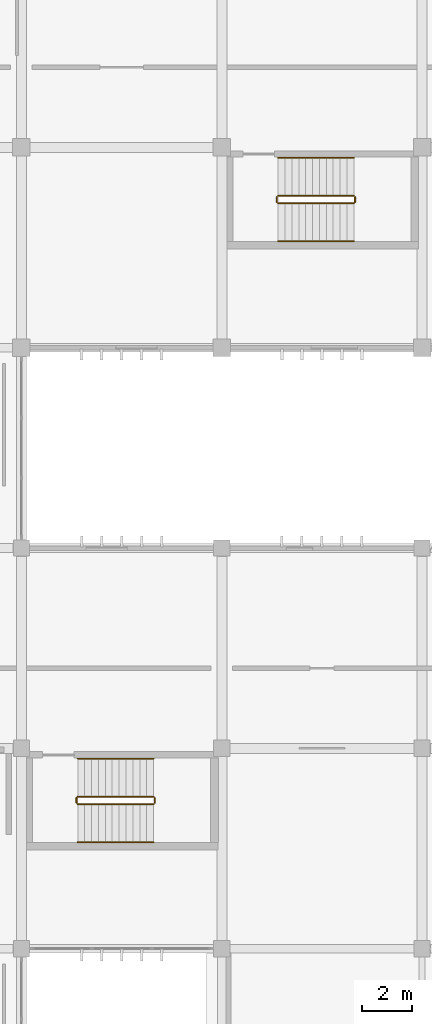
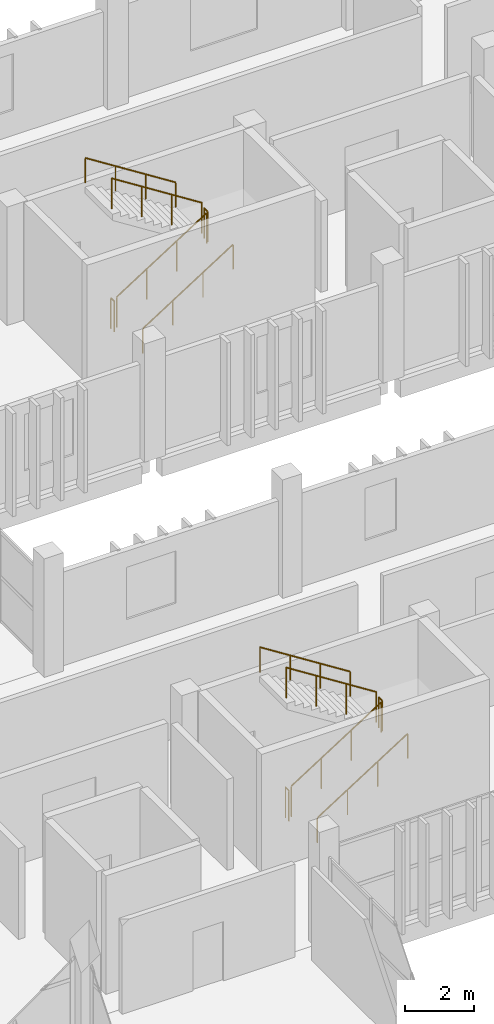
# One storey, part 83 of 83: 12 railings.
"""IFC4 building model written with IfcOpenShell, lengths in metres."""

from ifc_helpers import new_model, si_unit, direction, frame, origin, origin_2d, place, context, subcontext, project, spatial, circle, extrude, material, type_object, element, save


model = new_model("IFC4")

# Units and contexts
model_context = context("Model", 3, precision=1e-05, world=origin(), true_north=direction((0.0, 1.0)))
body_context = subcontext(model_context, "Body", "Model", "MODEL_VIEW")
ifc_project = project(units=[si_unit("LENGTHUNIT", "METRE"), si_unit("AREAUNIT", "SQUARE_METRE"), si_unit("VOLUMEUNIT", "CUBIC_METRE"), si_unit("PLANEANGLEUNIT", "RADIAN"), si_unit("MASSUNIT", "GRAM", prefix="KILO")], contexts=[model_context])

# Site, building, storey
site_placement = place(None, origin())
site = spatial("IfcSite", under=ifc_project, at=site_placement, CompositionType="ELEMENT")
building_placement = place(site_placement, origin())
building = spatial("IfcBuilding", under=site, at=building_placement, Name="Jelvoka-Kovrelna Polytechnic", CompositionType="ELEMENT")
storey_placement = place(building_placement, frame((0.0, 0.0, 13.800048828125)))
storey = spatial("IfcBuildingStorey", under=building, at=storey_placement, Name="L04", CompositionType="ELEMENT", Elevation=13.800048828125)

# Railings
ifc_material_1 = material(Name="Powder-coated steel stair guard", Category="steel")
railing_type_1 = type_object("IfcRailingType", Name="Railing_Stair_Guard_1100", PredefinedType="GUARDRAIL", material=ifc_material_1)
railing_1_placement = place(storey_placement, frame((154.25, 37.77001953125, 0.175048828125)))
element("IfcRailing", 1, at=railing_1_placement, inside=storey, type_object=railing_type_1, Name="L04 ST08 stair guard 1", PredefinedType="GUARDRAIL", context=body_context, shape_type="SweptSolid", body=[
    extrude(circle(Radius=0.02392578125, at=origin_2d()), frame((0.0, 0.0, 1.076171875), z_axis=(0.843678310415, 0.0, 0.536849055634), x_axis=(0.0, 1.0, 0.0)), (0.0, 0.0, 1.0), 3.58544921875),
    extrude(circle(Radius=0.02099609375, at=origin_2d()), origin(), (0.0, 0.0, 1.0), 1.052001953125),
    extrude(circle(Radius=0.02099609375, at=origin_2d()), frame((1.00830078125, 0.0, 0.6416015625)), (0.0, 0.0, 1.0), 1.052001953125),
    extrude(circle(Radius=0.02099609375, at=origin_2d()), frame((2.0166015625, 0.0, 1.283203125)), (0.0, 0.0, 1.0), 1.052001953125),
    extrude(circle(Radius=0.02099609375, at=origin_2d()), frame((3.02490234375, 0.0, 1.9248046875)), (0.0, 0.0, 1.0), 1.052001953125),
])
railing_2_placement = place(storey_placement, frame((157.324951171875, 37.820068359375, 2.099853515625)))
element("IfcRailing", 2, at=railing_2_placement, inside=storey, type_object=railing_type_1, Name="L04 ST08 stair guard 2", PredefinedType="GUARDRAIL", context=body_context, shape_type="SweptSolid", body=[
    extrude(circle(Radius=0.02392578125, at=origin_2d()), frame((0.0, 0.0, 1.076171875), z_axis=(0.0, 1.0, 0.0), x_axis=(-1.0, 0.0, 0.0)), (0.0, 0.0, 1.0), 0.199951171875),
    extrude(circle(Radius=0.02099609375, at=origin_2d()), origin(), (0.0, 0.0, 1.0), 1.052001953125),
    extrude(circle(Radius=0.02099609375, at=origin_2d()), frame((0.0, 0.199951171875, 0.0)), (0.0, 0.0, 1.0), 1.052001953125),
])
railing_3_placement = place(storey_placement, frame((157.27490234375, 38.070068359375, 2.27490234375)))
element("IfcRailing", 3, at=railing_3_placement, inside=storey, type_object=railing_type_1, Name="L04 ST08 stair guard 3", PredefinedType="GUARDRAIL", context=body_context, shape_type="SweptSolid", body=[
    extrude(circle(Radius=0.02392578125, at=origin_2d()), frame((0.0, 0.0, 1.076171875), z_axis=(-0.84364746871, 0.0, 0.536897521451), x_axis=(0.0, -1.0, 0.0)), (0.0, 0.0, 1.0), 3.58544921875),
    extrude(circle(Radius=0.02099609375, at=origin_2d()), origin(), (0.0, 0.0, 1.0), 1.052001953125),
    extrude(circle(Radius=0.02099609375, at=origin_2d()), frame((-1.00830078125, 0.0, 0.6416015625)), (0.0, 0.0, 1.0), 1.052001953125),
    extrude(circle(Radius=0.02099609375, at=origin_2d()), frame((-2.0166015625, 0.0, 1.283447265625)), (0.0, 0.0, 1.0), 1.052001953125),
    extrude(circle(Radius=0.02099609375, at=origin_2d()), frame((-3.02490234375, 0.0, 1.925048828125)), (0.0, 0.0, 1.0), 1.052001953125),
])
railing_4_placement = place(storey_placement, frame((154.199951171875, 37.820068359375, 0.0)))
element("IfcRailing", 4, at=railing_4_placement, inside=storey, type_object=railing_type_1, Name="L04 ST08 stair guard 4", PredefinedType="GUARDRAIL", context=body_context, shape_type="SweptSolid", body=[
    extrude(circle(Radius=0.02392578125, at=origin_2d()), frame((0.0, 0.0, 1.076171875), z_axis=(0.0, 1.0, 0.0), x_axis=(-1.0, 0.0, 0.0)), (0.0, 0.0, 1.0), 0.199951171875),
    extrude(circle(Radius=0.02099609375, at=origin_2d()), origin(), (0.0, 0.0, 1.0), 1.052001953125),
    extrude(circle(Radius=0.02099609375, at=origin_2d()), frame((0.0, 0.199951171875, 0.0)), (0.0, 0.0, 1.0), 1.052001953125),
])
railing_5_placement = place(storey_placement, frame((162.25, 61.77001953125, 0.175048828125)))
element("IfcRailing", 5, at=railing_5_placement, inside=storey, type_object=railing_type_1, Name="L04 ST10 stair guard 1", PredefinedType="GUARDRAIL", context=body_context, shape_type="SweptSolid", body=[
    extrude(circle(Radius=0.02392578125, at=origin_2d()), frame((0.0, 0.0, 1.076171875), z_axis=(0.843678310415, 0.0, 0.536849055634), x_axis=(0.0, 1.0, 0.0)), (0.0, 0.0, 1.0), 3.58544921875),
    extrude(circle(Radius=0.02099609375, at=origin_2d()), origin(), (0.0, 0.0, 1.0), 1.052001953125),
    extrude(circle(Radius=0.02099609375, at=origin_2d()), frame((1.00830078125, 0.0, 0.6416015625)), (0.0, 0.0, 1.0), 1.052001953125),
    extrude(circle(Radius=0.02099609375, at=origin_2d()), frame((2.0166015625, 0.0, 1.283203125)), (0.0, 0.0, 1.0), 1.052001953125),
    extrude(circle(Radius=0.02099609375, at=origin_2d()), frame((3.02490234375, 0.0, 1.9248046875)), (0.0, 0.0, 1.0), 1.052001953125),
])
railing_6_placement = place(storey_placement, frame((165.324951171875, 61.820068359375, 2.099853515625)))
element("IfcRailing", 6, at=railing_6_placement, inside=storey, type_object=railing_type_1, Name="L04 ST10 stair guard 2", PredefinedType="GUARDRAIL", context=body_context, shape_type="SweptSolid", body=[
    extrude(circle(Radius=0.02392578125, at=origin_2d()), frame((0.0, 0.0, 1.076171875), z_axis=(0.0, 1.0, 0.0), x_axis=(-1.0, 0.0, 0.0)), (0.0, 0.0, 1.0), 0.199951171875),
    extrude(circle(Radius=0.02099609375, at=origin_2d()), origin(), (0.0, 0.0, 1.0), 1.052001953125),
    extrude(circle(Radius=0.02099609375, at=origin_2d()), frame((0.0, 0.199951171875, 0.0)), (0.0, 0.0, 1.0), 1.052001953125),
])
railing_7_placement = place(storey_placement, frame((165.27490234375, 62.070068359375, 2.27490234375)))
element("IfcRailing", 7, at=railing_7_placement, inside=storey, type_object=railing_type_1, Name="L04 ST10 stair guard 3", PredefinedType="GUARDRAIL", context=body_context, shape_type="SweptSolid", body=[
    extrude(circle(Radius=0.02392578125, at=origin_2d()), frame((0.0, 0.0, 1.076171875), z_axis=(-0.84364746871, 0.0, 0.536897521451), x_axis=(0.0, -1.0, 0.0)), (0.0, 0.0, 1.0), 3.58544921875),
    extrude(circle(Radius=0.02099609375, at=origin_2d()), origin(), (0.0, 0.0, 1.0), 1.052001953125),
    extrude(circle(Radius=0.02099609375, at=origin_2d()), frame((-1.00830078125, 0.0, 0.6416015625)), (0.0, 0.0, 1.0), 1.052001953125),
    extrude(circle(Radius=0.02099609375, at=origin_2d()), frame((-2.0166015625, 0.0, 1.283447265625)), (0.0, 0.0, 1.0), 1.052001953125),
    extrude(circle(Radius=0.02099609375, at=origin_2d()), frame((-3.02490234375, 0.0, 1.925048828125)), (0.0, 0.0, 1.0), 1.052001953125),
])
railing_8_placement = place(storey_placement, frame((162.199951171875, 61.820068359375, 0.0)))
element("IfcRailing", 8, at=railing_8_placement, inside=storey, type_object=railing_type_1, Name="L04 ST10 stair guard 4", PredefinedType="GUARDRAIL", context=body_context, shape_type="SweptSolid", body=[
    extrude(circle(Radius=0.02392578125, at=origin_2d()), frame((0.0, 0.0, 1.076171875), z_axis=(0.0, 1.0, 0.0), x_axis=(-1.0, 0.0, 0.0)), (0.0, 0.0, 1.0), 0.199951171875),
    extrude(circle(Radius=0.02099609375, at=origin_2d()), origin(), (0.0, 0.0, 1.0), 1.052001953125),
    extrude(circle(Radius=0.02099609375, at=origin_2d()), frame((0.0, 0.199951171875, 0.0)), (0.0, 0.0, 1.0), 1.052001953125),
])
ifc_material_2 = material(Name="Brushed stainless steel handrail", Category="steel")
railing_type_2 = type_object("IfcRailingType", Name="Railing_Stair_Handrail_900", PredefinedType="HANDRAIL", material=ifc_material_2)
railing_9_placement = place(storey_placement, frame((154.25, 36.25, 0.175048828125)))
element("IfcRailing", 9, at=railing_9_placement, inside=storey, type_object=railing_type_2, Name="L04 ST08 stair handrail 1", PredefinedType="HANDRAIL", context=body_context, shape_type="SweptSolid", body=[
    extrude(circle(Radius=0.02392578125, at=origin_2d()), frame((0.0, 0.0, 0.8759765625), z_axis=(0.843678310415, 0.0, 0.536849055634), x_axis=(0.0, 1.0, 0.0)), (0.0, 0.0, 1.0), 3.58544921875),
    extrude(circle(Radius=0.02099609375, at=origin_2d()), origin(), (0.0, 0.0, 1.0), 0.851806640625),
    extrude(circle(Radius=0.02099609375, at=origin_2d()), frame((1.00830078125, 0.0, 0.6416015625)), (0.0, 0.0, 1.0), 0.851806640625),
    extrude(circle(Radius=0.02099609375, at=origin_2d()), frame((2.0166015625, 0.0, 1.283203125)), (0.0, 0.0, 1.0), 0.851806640625),
    extrude(circle(Radius=0.02099609375, at=origin_2d()), frame((3.02490234375, 0.0, 1.9248046875)), (0.0, 0.0, 1.0), 0.851806640625),
])
railing_10_placement = place(storey_placement, frame((157.27490234375, 39.590087890625, 2.27490234375)))
element("IfcRailing", 10, at=railing_10_placement, inside=storey, type_object=railing_type_2, Name="L04 ST08 stair handrail 2", PredefinedType="HANDRAIL", context=body_context, shape_type="SweptSolid", body=[
    extrude(circle(Radius=0.02392578125, at=origin_2d()), frame((0.0, 0.0, 0.8759765625), z_axis=(-0.84364746871, 0.0, 0.536897521451), x_axis=(0.0, -1.0, 0.0)), (0.0, 0.0, 1.0), 3.58544921875),
    extrude(circle(Radius=0.02099609375, at=origin_2d()), origin(), (0.0, 0.0, 1.0), 0.851806640625),
    extrude(circle(Radius=0.02099609375, at=origin_2d()), frame((-1.00830078125, 0.0, 0.6416015625)), (0.0, 0.0, 1.0), 0.851806640625),
    extrude(circle(Radius=0.02099609375, at=origin_2d()), frame((-2.0166015625, 0.0, 1.283447265625)), (0.0, 0.0, 1.0), 0.851806640625),
    extrude(circle(Radius=0.02099609375, at=origin_2d()), frame((-3.02490234375, 0.0, 1.925048828125)), (0.0, 0.0, 1.0), 0.851806640625),
])
railing_11_placement = place(storey_placement, frame((162.25, 60.25, 0.175048828125)))
element("IfcRailing", 11, at=railing_11_placement, inside=storey, type_object=railing_type_2, Name="L04 ST10 stair handrail 1", PredefinedType="HANDRAIL", context=body_context, shape_type="SweptSolid", body=[
    extrude(circle(Radius=0.02392578125, at=origin_2d()), frame((0.0, 0.0, 0.8759765625), z_axis=(0.843678310415, 0.0, 0.536849055634), x_axis=(0.0, 1.0, 0.0)), (0.0, 0.0, 1.0), 3.58544921875),
    extrude(circle(Radius=0.02099609375, at=origin_2d()), origin(), (0.0, 0.0, 1.0), 0.851806640625),
    extrude(circle(Radius=0.02099609375, at=origin_2d()), frame((1.00830078125, 0.0, 0.6416015625)), (0.0, 0.0, 1.0), 0.851806640625),
    extrude(circle(Radius=0.02099609375, at=origin_2d()), frame((2.0166015625, 0.0, 1.283203125)), (0.0, 0.0, 1.0), 0.851806640625),
    extrude(circle(Radius=0.02099609375, at=origin_2d()), frame((3.02490234375, 0.0, 1.9248046875)), (0.0, 0.0, 1.0), 0.851806640625),
])
railing_12_placement = place(storey_placement, frame((165.27490234375, 63.590087890625, 2.27490234375)))
element("IfcRailing", 12, at=railing_12_placement, inside=storey, type_object=railing_type_2, Name="L04 ST10 stair handrail 2", PredefinedType="HANDRAIL", context=body_context, shape_type="SweptSolid", body=[
    extrude(circle(Radius=0.02392578125, at=origin_2d()), frame((0.0, 0.0, 0.8759765625), z_axis=(-0.84364746871, 0.0, 0.536897521451), x_axis=(0.0, -1.0, 0.0)), (0.0, 0.0, 1.0), 3.58544921875),
    extrude(circle(Radius=0.02099609375, at=origin_2d()), origin(), (0.0, 0.0, 1.0), 0.851806640625),
    extrude(circle(Radius=0.02099609375, at=origin_2d()), frame((-1.00830078125, 0.0, 0.6416015625)), (0.0, 0.0, 1.0), 0.851806640625),
    extrude(circle(Radius=0.02099609375, at=origin_2d()), frame((-2.0166015625, 0.0, 1.283447265625)), (0.0, 0.0, 1.0), 0.851806640625),
    extrude(circle(Radius=0.02099609375, at=origin_2d()), frame((-3.02490234375, 0.0, 1.925048828125)), (0.0, 0.0, 1.0), 0.851806640625),
])

save(model, "model.ifc")
